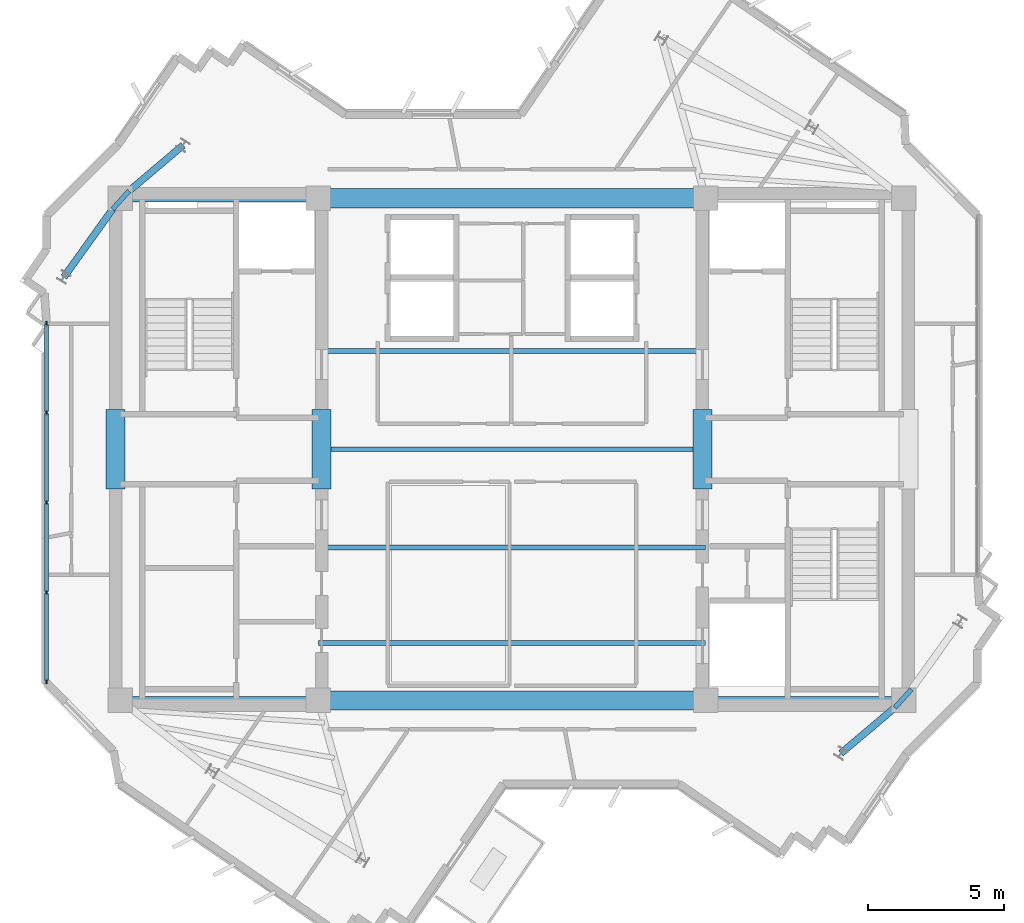
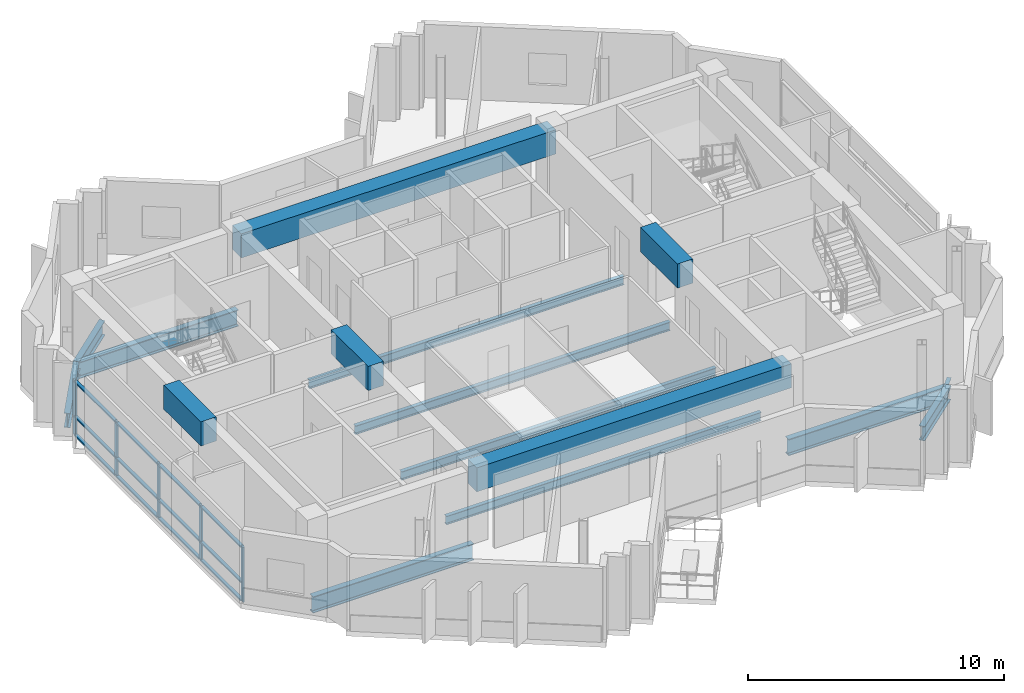
# One storey, part 2 of 11: 17 beams, 17 members, 1 element without a shape of its own.
"""IFC4 building model written with IfcOpenShell, lengths in metres."""

from ifc_helpers import new_model, si_unit, direction, frame, origin, origin_2d, place, context, subcontext, project, spatial, rectangle, i_section, extrude, source, transform, mapped, material, layer, layer_set, material_profile, profile_set, type_object, element, aggregate, save


model = new_model("IFC4")

# Units and contexts
model_context = context("Model", 3, precision=1e-05, world=origin(), true_north=direction((0.0, 1.0)))
body_context = subcontext(model_context, "Body", "Model", "MODEL_VIEW")
ifc_project = project(units=[si_unit("LENGTHUNIT", "METRE"), si_unit("AREAUNIT", "SQUARE_METRE"), si_unit("VOLUMEUNIT", "CUBIC_METRE"), si_unit("PLANEANGLEUNIT", "RADIAN"), si_unit("MASSUNIT", "GRAM", prefix="KILO")], contexts=[model_context])

# Site, building, storey
site_placement = place(None, origin())
site = spatial("IfcSite", under=ifc_project, at=site_placement, CompositionType="ELEMENT")
building_placement = place(site_placement, origin())
building = spatial("IfcBuilding", under=site, at=building_placement, Name="Zahravan Cultural Tower", CompositionType="ELEMENT")
storey_placement = place(building_placement, frame((0.0, 0.0, 334.800048828125)))
storey = spatial("IfcBuildingStorey", under=building, at=storey_placement, Name="L81", CompositionType="ELEMENT", Elevation=334.800048828125)

# Beams
ifc_material_1 = material(Name="Concrete C50/60", Category="concrete")
ifc_material_profile_1 = material_profile(ifc_material_1, rectangle(XDim=0.699951171875, YDim=1.14990234375, at=origin_2d()), Name="RC700X1150")
ifc_profile_set_1 = profile_set([ifc_material_profile_1], Name="Concrete C50/60")
beam_type_1 = type_object("IfcBeamType", Name="BM-LN-RC700X1150", PredefinedType="LINTEL", material=ifc_profile_set_1)
shared_shape_1 = source(origin(), body_context, "Body", "SweptSolid", [
    extrude(rectangle(XDim=0.699951171875, YDim=1.14990234375, at=origin_2d()), origin(), (0.0, 0.0, 1.0), 14.2001953125),
])
for number, where, z_axis, x_axis, name in (
    (1, (28.89990234375, 17.800048828125, 2.925048828125), (1.0, 0.0, 0.0), (0.0, 1.0, 0.0), "L81 Beam LN-L81-S"),
    (2, (28.89990234375, 36.199951171875, 2.925048828125), (1.0, 0.0, 0.0), (0.0, 1.0, 0.0), "L81 Beam LN-L81-N"),
):
    element("IfcBeam", number, at=place(storey_placement, frame(where, z_axis=z_axis, x_axis=x_axis)), inside=storey, type_object=beam_type_1, Name=name, PredefinedType="LINTEL", context=body_context, shape_type="MappedRepresentation", body=[
        mapped(shared_shape_1, transform((0.0, 0.0, 0.0), x_axis=(1.0, 0.0, 0.0), y_axis=(0.0, 1.0, 0.0), z_axis=(0.0, 0.0, 1.0), scale=1.0)),
    ])
shared_shape_2 = source(origin(), body_context, "Body", "SweptSolid", [
    extrude(rectangle(XDim=0.699951171875, YDim=1.14990234375, at=origin_2d()), origin(), (0.0, 0.0, 1.0), 2.89990234375),
])
for number, where, z_axis, x_axis, name in (
    (3, (21.47509765625, 25.550048828125, 2.925048828125), (0.0, 1.0, 0.0), (-1.0, 0.0, 0.0), "L81 Beam LN-L81-PWW"),
    (4, (29.02490234375, 25.550048828125, 2.925048828125), (0.0, 1.0, 0.0), (-1.0, 0.0, 0.0), "L81 Beam LN-L81-PWE"),
    (5, (42.97509765625, 25.550048828125, 2.925048828125), (0.0, 1.0, 0.0), (-1.0, 0.0, 0.0), "L81 Beam LN-L81-PEW"),
):
    element("IfcBeam", number, at=place(storey_placement, frame(where, z_axis=z_axis, x_axis=x_axis)), inside=storey, type_object=beam_type_1, Name=name, PredefinedType="LINTEL", context=body_context, shape_type="MappedRepresentation", body=[
        mapped(shared_shape_2, transform((0.0, 0.0, 0.0), x_axis=(1.0, 0.0, 0.0), y_axis=(0.0, 1.0, 0.0), z_axis=(0.0, 0.0, 1.0), scale=1.0)),
    ])
ifc_material_2 = material(Name="Steel ASTM A992 Grade 50", Category="steel")
ifc_material_profile_2 = material_profile(ifc_material_2, i_section(OverallWidth=0.26611328125, OverallDepth=0.780029296875, WebThickness=0.0166015625, FlangeThickness=0.030029296875, FilletRadius=0.01904296875, at=origin_2d()), Name="W30X148")
ifc_profile_set_2 = profile_set([ifc_material_profile_2], Name="Steel ASTM A992 Grade 50")
beam_type_2 = type_object("IfcBeamType", Name="BM-G-W30X148", PredefinedType="BEAM", material=ifc_profile_set_2)
shared_shape_3 = source(origin(), body_context, "Body", "SweptSolid", [
    extrude(i_section(OverallWidth=0.26611328125, OverallDepth=0.780029296875, WebThickness=0.0166015625, FlangeThickness=0.030029296875, FilletRadius=0.01904296875, at=origin_2d()), origin(), (0.0, 0.0, 1.0), 7.25),
])
for number, where, z_axis, x_axis, name in (
    (6, (21.64990234375, 17.800048828125, -0.64013671875), (1.0, 0.0, 0.0), (0.0, 1.0, 0.0), "L81 Beam BG-L81-01"),
    (7, (21.64990234375, 36.199951171875, -0.64013671875), (1.0, 0.0, 0.0), (0.0, 1.0, 0.0), "L81 Beam BG-L81-02"),
    (8, (43.10009765625, 17.800048828125, -0.64013671875), (1.0, 0.0, 0.0), (0.0, 1.0, 0.0), "L81 Beam BG-L81-04"),
):
    element("IfcBeam", number, at=place(storey_placement, frame(where, z_axis=z_axis, x_axis=x_axis)), inside=storey, type_object=beam_type_2, Name=name, PredefinedType="BEAM", context=body_context, shape_type="MappedRepresentation", body=[
        mapped(shared_shape_3, transform((0.0, 0.0, 0.0), x_axis=(1.0, 0.0, 0.0), y_axis=(0.0, 1.0, 0.0), z_axis=(0.0, 0.0, 1.0), scale=1.0)),
    ])
ifc_material_profile_3 = material_profile(ifc_material_2, i_section(OverallWidth=0.177978515625, OverallDepth=0.406005859375, WebThickness=0.0078125, FlangeThickness=0.0126953125, FilletRadius=0.011962890625, at=origin_2d()), Name="W16X40")
ifc_profile_set_3 = profile_set([ifc_material_profile_3], Name="Steel ASTM A992 Grade 50")
beam_type_3 = type_object("IfcBeamType", Name="BM-J-W16X40", PredefinedType="JOIST", material=ifc_profile_set_3)
shared_shape_4 = source(origin(), body_context, "Body", "SweptSolid", [
    extrude(i_section(OverallWidth=0.177978515625, OverallDepth=0.406005859375, WebThickness=0.0078125, FlangeThickness=0.0126953125, FilletRadius=0.011962890625, at=origin_2d()), origin(), (0.0, 0.0, 1.0), 14.2001953125),
])
for number, where, z_axis, x_axis, name in (
    (9, (28.89990234375, 19.89990234375, -0.453125), (1.0, 0.0, 0.0), (0.0, 1.0, 0.0), "L81 Beam BJ-L81-20"),
    (10, (28.89990234375, 23.39990234375, -0.453125), (1.0, 0.0, 0.0), (0.0, 1.0, 0.0), "L81 Beam BJ-L81-21"),
    (11, (28.89990234375, 27.0, -0.453125), (1.0, 0.0, 0.0), (0.0, 1.0, 0.0), "L81 Beam BJ-L81-22"),
    (12, (28.89990234375, 30.60009765625, -0.453125), (1.0, 0.0, 0.0), (0.0, 1.0, 0.0), "L81 Beam BJ-L81-23"),
):
    element("IfcBeam", number, at=place(storey_placement, frame(where, z_axis=z_axis, x_axis=x_axis)), inside=storey, type_object=beam_type_3, Name=name, PredefinedType="JOIST", context=body_context, shape_type="MappedRepresentation", body=[
        mapped(shared_shape_4, transform((0.0, 0.0, 0.0), x_axis=(1.0, 0.0, 0.0), y_axis=(0.0, 1.0, 0.0), z_axis=(0.0, 0.0, 1.0), scale=1.0)),
    ])
shared_shape_5 = source(origin(), body_context, "Body", "SweptSolid", [
    extrude(i_section(OverallWidth=0.177978515625, OverallDepth=0.406005859375, WebThickness=0.0078125, FlangeThickness=0.0126953125, FilletRadius=0.011962890625, at=origin_2d()), origin(), (0.0, 0.0, 1.0), 0.91162109375),
])
for number, where, z_axis, x_axis, name in (
    (13, (50.02880859375, 17.5283203125, -0.453125), (0.670590689022, 0.741827559341, 0.0), (-0.741827559341, 0.670590689022, 0.0), "L81 Beam BJ-L81-32"),
    (14, (21.97119140625, 36.4716796875, -0.453125), (-0.670590689022, -0.741827559341, 0.0), (0.741827559341, -0.670590689022, 0.0), "L81 Beam BJ-L81-48"),
):
    element("IfcBeam", number, at=place(storey_placement, frame(where, z_axis=z_axis, x_axis=x_axis)), inside=storey, type_object=beam_type_3, Name=name, PredefinedType="JOIST", context=body_context, shape_type="MappedRepresentation", body=[
        mapped(shared_shape_5, transform((0.0, 0.0, 0.0), x_axis=(1.0, 0.0, 0.0), y_axis=(0.0, 1.0, 0.0), z_axis=(0.0, 0.0, 1.0), scale=1.0)),
    ])
ifc_material_profile_4 = material_profile(ifc_material_2, i_section(OverallWidth=0.25390625, OverallDepth=0.68798828125, WebThickness=0.01318359375, FlangeThickness=0.02099609375, FilletRadius=0.01806640625, at=origin_2d()), Name="W27X102")
ifc_profile_set_4 = profile_set([ifc_material_profile_4], Name="Steel ASTM A992 Grade 50")
beam_type_4 = type_object("IfcBeamType", Name="BM-G-W27X102", PredefinedType="BEAM", material=ifc_profile_set_4)
shared_shape_6 = source(origin(), body_context, "Body", "SweptSolid", [
    extrude(i_section(OverallWidth=0.25390625, OverallDepth=0.68798828125, WebThickness=0.01318359375, FlangeThickness=0.02099609375, FilletRadius=0.01806640625, at=origin_2d()), origin(), (0.0, 0.0, 1.0), 3.00537109375),
])
for number, where, z_axis, x_axis, name in (
    (15, (50.35009765625, 17.800048828125, -0.593994140625), (-0.763546494847, -0.645752855361, 0.0), (0.645752855361, -0.763546494847, 0.0), "L81 Beam BG-L81-09"),
    (16, (21.64990234375, 36.199951171875, -0.593994140625), (0.763546494847, 0.645752855361, 0.0), (-0.645752855361, 0.763546494847, 0.0), "L81 Beam BG-L81-13"),
):
    element("IfcBeam", number, at=place(storey_placement, frame(where, z_axis=z_axis, x_axis=x_axis)), inside=storey, type_object=beam_type_4, Name=name, PredefinedType="BEAM", context=body_context, shape_type="MappedRepresentation", body=[
        mapped(shared_shape_6, transform((0.0, 0.0, 0.0), x_axis=(1.0, 0.0, 0.0), y_axis=(0.0, 1.0, 0.0), z_axis=(0.0, 0.0, 1.0), scale=1.0)),
    ])
shared_shape_7 = source(origin(), body_context, "Body", "SweptSolid", [
    extrude(i_section(OverallWidth=0.25390625, OverallDepth=0.68798828125, WebThickness=0.01318359375, FlangeThickness=0.02099609375, FilletRadius=0.01806640625, at=origin_2d()), origin(), (0.0, 0.0, 1.0), 3.5556640625),
])
beam_placement = place(storey_placement, frame((21.64990234375, 36.199951171875, -0.593994140625), z_axis=(-0.58288028137, -0.812558045674, 0.0), x_axis=(0.812558045674, -0.58288028137, 0.0)))
element("IfcBeam", 17, at=beam_placement, inside=storey, type_object=beam_type_4, Name="L81 Beam BG-L81-14", PredefinedType="BEAM", context=body_context, shape_type="MappedRepresentation", body=[
    mapped(shared_shape_7, transform((0.0, 0.0, 0.0), x_axis=(1.0, 0.0, 0.0), y_axis=(0.0, 1.0, 0.0), z_axis=(0.0, 0.0, 1.0), scale=1.0)),
])

# Curtain wall, members
ifc_material_3 = material(Name="Anodised bronze-aluminium mullion", Category="aluminium")
ifc_layer = layer(ifc_material_3, 0.179931640625)
ifc_layer_set = layer_set([ifc_layer], Name="Anodised bronze-aluminium mullion")
curtain_wall_type = type_object("IfcCurtainWallType", Name="CW-SYS-3", PredefinedType="USERDEFINED", material=ifc_layer_set)
curtain_wall_placement = place(storey_placement, origin())
curtain_wall = element("IfcCurtainWall", 18, at=curtain_wall_placement, inside=storey, type_object=curtain_wall_type, Name="L81 Recessed Curtain Wall CW-3.1", ObjectType="RECESSED GLAZING", PredefinedType="USERDEFINED")
ifc_material_profile_5 = material_profile(ifc_material_3, rectangle(XDim=0.070068359375, YDim=0.179931640625, at=origin_2d()), Name="AL-M70X180")
ifc_profile_set_5 = profile_set([ifc_material_profile_5], Name="Anodised bronze-aluminium mullion")
member_type_1 = type_object("IfcMemberType", Name="CWM-CW-3", PredefinedType="MULLION", material=ifc_profile_set_5)
shared_shape_8 = source(origin(), body_context, "Body", "SweptSolid", [
    extrude(rectangle(XDim=0.070068359375, YDim=0.179931640625, at=origin_2d()), origin(), (0.0, 0.0, 1.0), 2.619873046875),
])
member_1_placement = place(storey_placement, frame((18.93994140625, 18.492919921875, 0.0), z_axis=(0.0, 0.0, 1.0), x_axis=(-1.0, 0.0, 0.0)))
member_1 = element("IfcMember", 19, at=member_1_placement, type_object=member_type_1, Name="CW-3 mullion 1", PredefinedType="MULLION", context=body_context, shape_type="MappedRepresentation", body=[
    mapped(shared_shape_8, transform((0.0, 0.0, 0.0), x_axis=(1.0, 0.0, 0.0), y_axis=(0.0, 1.0, 0.0), z_axis=(0.0, 0.0, 1.0), scale=1.0)),
])
member_2_placement = place(storey_placement, frame((18.93994140625, 21.75341796875, 0.0), z_axis=(0.0, 0.0, 1.0), x_axis=(-1.0, 0.0, 0.0)))
member_2 = element("IfcMember", 20, at=member_2_placement, type_object=member_type_1, Name="CW-3 mullion 2", PredefinedType="MULLION", context=body_context, shape_type="MappedRepresentation", body=[
    mapped(shared_shape_8, transform((0.0, 0.0, 0.0), x_axis=(1.0, 0.0, 0.0), y_axis=(0.0, 1.0, 0.0), z_axis=(0.0, 0.0, 1.0), scale=1.0)),
])
member_3_placement = place(storey_placement, frame((18.93994140625, 25.048828125, 0.0), z_axis=(0.0, 0.0, 1.0), x_axis=(-1.0, 0.0, 0.0)))
member_3 = element("IfcMember", 21, at=member_3_placement, type_object=member_type_1, Name="CW-3 mullion 3", PredefinedType="MULLION", context=body_context, shape_type="MappedRepresentation", body=[
    mapped(shared_shape_8, transform((0.0, 0.0, 0.0), x_axis=(1.0, 0.0, 0.0), y_axis=(0.0, 1.0, 0.0), z_axis=(0.0, 0.0, 1.0), scale=1.0)),
])
member_4_placement = place(storey_placement, frame((18.93994140625, 28.34423828125, 0.0), z_axis=(0.0, 0.0, 1.0), x_axis=(-1.0, 0.0, 0.0)))
member_4 = element("IfcMember", 22, at=member_4_placement, type_object=member_type_1, Name="CW-3 mullion 4", PredefinedType="MULLION", context=body_context, shape_type="MappedRepresentation", body=[
    mapped(shared_shape_8, transform((0.0, 0.0, 0.0), x_axis=(1.0, 0.0, 0.0), y_axis=(0.0, 1.0, 0.0), z_axis=(0.0, 0.0, 1.0), scale=1.0)),
])
member_5_placement = place(storey_placement, frame((18.93994140625, 31.604736328125, 0.0), z_axis=(0.0, 0.0, 1.0), x_axis=(-1.0, 0.0, 0.0)))
member_5 = element("IfcMember", 23, at=member_5_placement, type_object=member_type_1, Name="CW-3 mullion 5", PredefinedType="MULLION", context=body_context, shape_type="MappedRepresentation", body=[
    mapped(shared_shape_8, transform((0.0, 0.0, 0.0), x_axis=(1.0, 0.0, 0.0), y_axis=(0.0, 1.0, 0.0), z_axis=(0.0, 0.0, 1.0), scale=1.0)),
])
ifc_material_profile_6 = material_profile(ifc_material_3, rectangle(XDim=0.139892578125, YDim=0.070068359375, at=origin_2d()), Name="AL-T70X140")
ifc_profile_set_6 = profile_set([ifc_material_profile_6], Name="Anodised bronze-aluminium mullion")
member_type_2 = type_object("IfcMemberType", Name="CWT-CW-3", PredefinedType="USERDEFINED", material=ifc_profile_set_6)
shared_shape_9 = source(origin(), body_context, "Body", "SweptSolid", [
    extrude(rectangle(XDim=0.139892578125, YDim=0.070068359375, at=origin_2d()), origin(), (0.0, 0.0, 1.0), 3.1904296875),
])
member_6_placement = place(storey_placement, frame((18.93994140625, 18.528076171875, 0.034912109375), z_axis=(0.0, 1.0, 0.0), x_axis=(-1.0, 0.0, 0.0)))
member_6 = element("IfcMember", 24, at=member_6_placement, type_object=member_type_2, Name="CW-3 transom 1.1", ObjectType="TRANSOM", PredefinedType="USERDEFINED", context=body_context, shape_type="MappedRepresentation", body=[
    mapped(shared_shape_9, transform((0.0, 0.0, 0.0), x_axis=(1.0, 0.0, 0.0), y_axis=(0.0, 1.0, 0.0), z_axis=(0.0, 0.0, 1.0), scale=1.0)),
])
member_7_placement = place(storey_placement, frame((18.93994140625, 18.528076171875, 0.89990234375), z_axis=(0.0, 1.0, 0.0), x_axis=(-1.0, 0.0, 0.0)))
member_7 = element("IfcMember", 25, at=member_7_placement, type_object=member_type_2, Name="CW-3 transom 1.2", ObjectType="TRANSOM", PredefinedType="USERDEFINED", context=body_context, shape_type="MappedRepresentation", body=[
    mapped(shared_shape_9, transform((0.0, 0.0, 0.0), x_axis=(1.0, 0.0, 0.0), y_axis=(0.0, 1.0, 0.0), z_axis=(0.0, 0.0, 1.0), scale=1.0)),
])
member_8_placement = place(storey_placement, frame((18.93994140625, 18.528076171875, 2.5849609375), z_axis=(0.0, 1.0, 0.0), x_axis=(-1.0, 0.0, 0.0)))
member_8 = element("IfcMember", 26, at=member_8_placement, type_object=member_type_2, Name="CW-3 transom 1.3", ObjectType="TRANSOM", PredefinedType="USERDEFINED", context=body_context, shape_type="MappedRepresentation", body=[
    mapped(shared_shape_9, transform((0.0, 0.0, 0.0), x_axis=(1.0, 0.0, 0.0), y_axis=(0.0, 1.0, 0.0), z_axis=(0.0, 0.0, 1.0), scale=1.0)),
])
member_9_placement = place(storey_placement, frame((18.93994140625, 28.37939453125, 0.034912109375), z_axis=(0.0, 1.0, 0.0), x_axis=(-1.0, 0.0, 0.0)))
member_9 = element("IfcMember", 27, at=member_9_placement, type_object=member_type_2, Name="CW-3 transom 4.1", ObjectType="TRANSOM", PredefinedType="USERDEFINED", context=body_context, shape_type="MappedRepresentation", body=[
    mapped(shared_shape_9, transform((0.0, 0.0, 0.0), x_axis=(1.0, 0.0, 0.0), y_axis=(0.0, 1.0, 0.0), z_axis=(0.0, 0.0, 1.0), scale=1.0)),
])
member_10_placement = place(storey_placement, frame((18.93994140625, 28.37939453125, 0.89990234375), z_axis=(0.0, 1.0, 0.0), x_axis=(-1.0, 0.0, 0.0)))
member_10 = element("IfcMember", 28, at=member_10_placement, type_object=member_type_2, Name="CW-3 transom 4.2", ObjectType="TRANSOM", PredefinedType="USERDEFINED", context=body_context, shape_type="MappedRepresentation", body=[
    mapped(shared_shape_9, transform((0.0, 0.0, 0.0), x_axis=(1.0, 0.0, 0.0), y_axis=(0.0, 1.0, 0.0), z_axis=(0.0, 0.0, 1.0), scale=1.0)),
])
member_11_placement = place(storey_placement, frame((18.93994140625, 28.37939453125, 2.5849609375), z_axis=(0.0, 1.0, 0.0), x_axis=(-1.0, 0.0, 0.0)))
member_11 = element("IfcMember", 29, at=member_11_placement, type_object=member_type_2, Name="CW-3 transom 4.3", ObjectType="TRANSOM", PredefinedType="USERDEFINED", context=body_context, shape_type="MappedRepresentation", body=[
    mapped(shared_shape_9, transform((0.0, 0.0, 0.0), x_axis=(1.0, 0.0, 0.0), y_axis=(0.0, 1.0, 0.0), z_axis=(0.0, 0.0, 1.0), scale=1.0)),
])
shared_shape_10 = source(origin(), body_context, "Body", "SweptSolid", [
    extrude(rectangle(XDim=0.139892578125, YDim=0.070068359375, at=origin_2d()), origin(), (0.0, 0.0, 1.0), 3.2255859375),
])
member_12_placement = place(storey_placement, frame((18.93994140625, 21.788330078125, 0.034912109375), z_axis=(0.0, 1.0, 0.0), x_axis=(-1.0, 0.0, 0.0)))
member_12 = element("IfcMember", 30, at=member_12_placement, type_object=member_type_2, Name="CW-3 transom 2.1", ObjectType="TRANSOM", PredefinedType="USERDEFINED", context=body_context, shape_type="MappedRepresentation", body=[
    mapped(shared_shape_10, transform((0.0, 0.0, 0.0), x_axis=(1.0, 0.0, 0.0), y_axis=(0.0, 1.0, 0.0), z_axis=(0.0, 0.0, 1.0), scale=1.0)),
])
member_13_placement = place(storey_placement, frame((18.93994140625, 21.788330078125, 0.89990234375), z_axis=(0.0, 1.0, 0.0), x_axis=(-1.0, 0.0, 0.0)))
member_13 = element("IfcMember", 31, at=member_13_placement, type_object=member_type_2, Name="CW-3 transom 2.2", ObjectType="TRANSOM", PredefinedType="USERDEFINED", context=body_context, shape_type="MappedRepresentation", body=[
    mapped(shared_shape_10, transform((0.0, 0.0, 0.0), x_axis=(1.0, 0.0, 0.0), y_axis=(0.0, 1.0, 0.0), z_axis=(0.0, 0.0, 1.0), scale=1.0)),
])
member_14_placement = place(storey_placement, frame((18.93994140625, 21.788330078125, 2.5849609375), z_axis=(0.0, 1.0, 0.0), x_axis=(-1.0, 0.0, 0.0)))
member_14 = element("IfcMember", 32, at=member_14_placement, type_object=member_type_2, Name="CW-3 transom 2.3", ObjectType="TRANSOM", PredefinedType="USERDEFINED", context=body_context, shape_type="MappedRepresentation", body=[
    mapped(shared_shape_10, transform((0.0, 0.0, 0.0), x_axis=(1.0, 0.0, 0.0), y_axis=(0.0, 1.0, 0.0), z_axis=(0.0, 0.0, 1.0), scale=1.0)),
])
shared_shape_11 = source(origin(), body_context, "Body", "SweptSolid", [
    extrude(rectangle(XDim=0.139892578125, YDim=0.070068359375, at=origin_2d()), origin(), (0.0, 0.0, 1.0), 3.225341796875),
])
member_15_placement = place(storey_placement, frame((18.93994140625, 25.083984375, 0.034912109375), z_axis=(0.0, 1.0, 0.0), x_axis=(-1.0, 0.0, 0.0)))
member_15 = element("IfcMember", 33, at=member_15_placement, type_object=member_type_2, Name="CW-3 transom 3.1", ObjectType="TRANSOM", PredefinedType="USERDEFINED", context=body_context, shape_type="MappedRepresentation", body=[
    mapped(shared_shape_11, transform((0.0, 0.0, 0.0), x_axis=(1.0, 0.0, 0.0), y_axis=(0.0, 1.0, 0.0), z_axis=(0.0, 0.0, 1.0), scale=1.0)),
])
member_16_placement = place(storey_placement, frame((18.93994140625, 25.083984375, 0.89990234375), z_axis=(0.0, 1.0, 0.0), x_axis=(-1.0, 0.0, 0.0)))
member_16 = element("IfcMember", 34, at=member_16_placement, type_object=member_type_2, Name="CW-3 transom 3.2", ObjectType="TRANSOM", PredefinedType="USERDEFINED", context=body_context, shape_type="MappedRepresentation", body=[
    mapped(shared_shape_11, transform((0.0, 0.0, 0.0), x_axis=(1.0, 0.0, 0.0), y_axis=(0.0, 1.0, 0.0), z_axis=(0.0, 0.0, 1.0), scale=1.0)),
])
member_17_placement = place(storey_placement, frame((18.93994140625, 25.083984375, 2.5849609375), z_axis=(0.0, 1.0, 0.0), x_axis=(-1.0, 0.0, 0.0)))
member_17 = element("IfcMember", 35, at=member_17_placement, type_object=member_type_2, Name="CW-3 transom 3.3", ObjectType="TRANSOM", PredefinedType="USERDEFINED", context=body_context, shape_type="MappedRepresentation", body=[
    mapped(shared_shape_11, transform((0.0, 0.0, 0.0), x_axis=(1.0, 0.0, 0.0), y_axis=(0.0, 1.0, 0.0), z_axis=(0.0, 0.0, 1.0), scale=1.0)),
])
aggregate(curtain_wall, [member_1, member_2, member_3, member_4, member_5, member_6, member_7, member_8, member_12, member_13, member_14, member_15, member_16, member_17, member_9, member_10, member_11])

save(model, "model.ifc")
